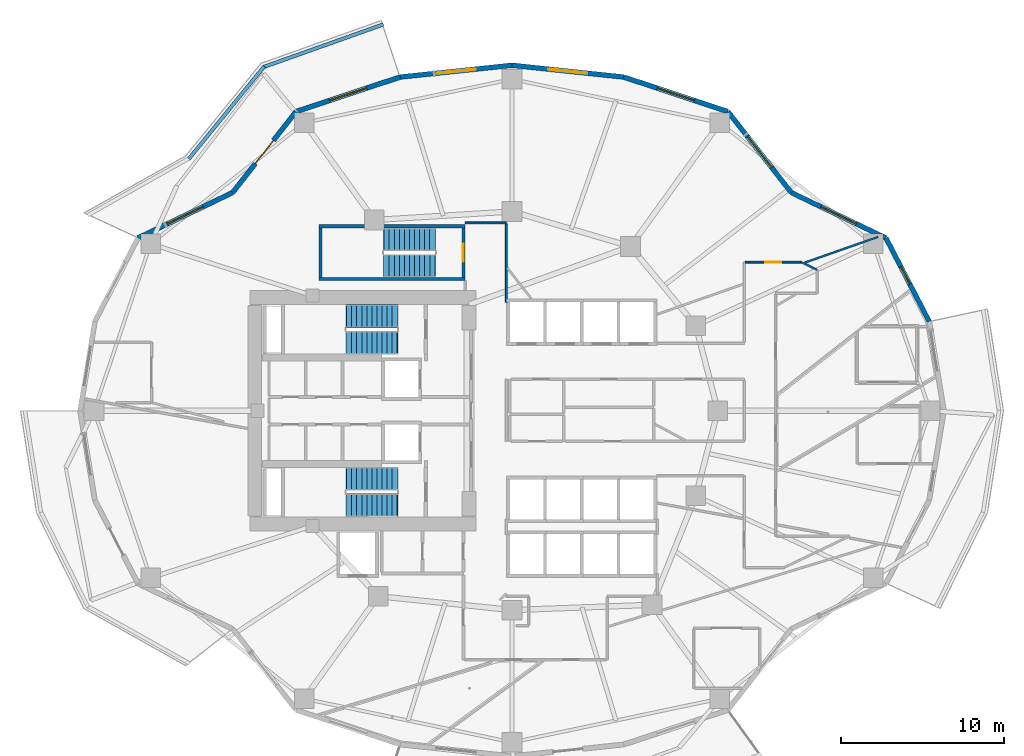
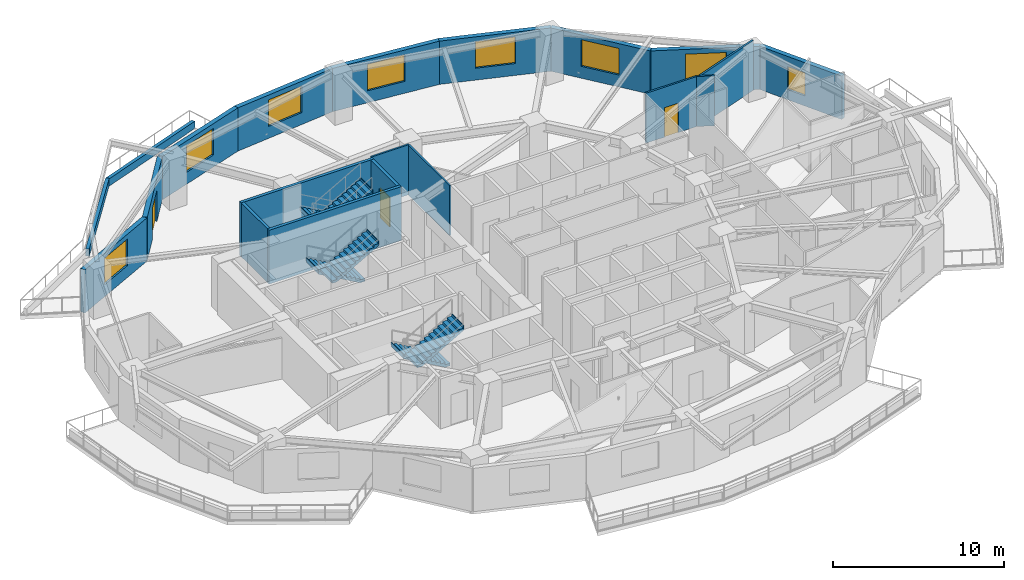
# One storey, part 7 of 16: 20 walls, 8 windows, 6 stair flights, 3 doors, 11 openings, 3 elements without a shape of their own.
"""IFC4 building model written with IfcOpenShell, lengths in metres."""

from ifc_helpers import new_model, si_unit, direction, frame, frame_2d, origin, place, context, subcontext, project, spatial, polyline, rectangle, outline, extrude, material, layer, layer_set, type_object, element, fill, aggregate, save


model = new_model("IFC4")

# Units and contexts
model_context = context("Model", 3, precision=1e-05, world=origin(), true_north=direction((0.0, 1.0)))
body_context = subcontext(model_context, "Body", "Model", "MODEL_VIEW")
ifc_project = project(units=[si_unit("LENGTHUNIT", "METRE"), si_unit("AREAUNIT", "SQUARE_METRE"), si_unit("VOLUMEUNIT", "CUBIC_METRE"), si_unit("PLANEANGLEUNIT", "RADIAN"), si_unit("MASSUNIT", "GRAM", prefix="KILO")], contexts=[model_context])

# Site, building, storey
site_placement = place(None, origin())
site = spatial("IfcSite", under=ifc_project, at=site_placement, CompositionType="ELEMENT")
building_placement = place(site_placement, origin())
building = spatial("IfcBuilding", under=site, at=building_placement, Name="Kolvaren Gate Tower and Convention Centre", CompositionType="ELEMENT")
storey_placement = place(building_placement, frame((0.0, 0.0, 65.0)))
storey = spatial("IfcBuildingStorey", under=building, at=storey_placement, Name="L15", CompositionType="ELEMENT", Elevation=65.0)

# Walls
ifc_material_1 = material(Name="Fire-Rated Acoustic Gypsum Stud Partition", Category="gypsum")
ifc_layer_1 = layer(ifc_material_1, 0.1201171875)
ifc_layer_set_1 = layer_set([ifc_layer_1], Name="Fire-Rated Acoustic Gypsum Stud Partition")
wall_type_1 = type_object("IfcWallType", Name="ARCH-WL-PART-120", PredefinedType="PARTITIONING", material=ifc_layer_set_1)
wall_1_placement = place(storey_placement, frame((27.25, 38.5, 0.0), z_axis=(0.0, 0.0, 1.0), x_axis=(1.0, 0.0, 0.0)))
element("IfcWall", 1, at=wall_1_placement, inside=storey, type_object=wall_type_1, Name="Interior Partition WL-L15-INT-027", PredefinedType="PARTITIONING", context=body_context, shape_type="SweptSolid", body=[
    extrude(rectangle(XDim=2.530029296875, YDim=0.1201171875, at=frame_2d((1.26513671875, 0.0))), origin(), (0.0, 0.0, 1.0), 3.570068359375),
])
wall_2_placement = place(storey_placement, frame((29.780029296875, 33.639892578125, 0.0), z_axis=(0.0, 0.0, 1.0), x_axis=(0.0, 1.0, 0.0)))
element("IfcWall", 2, at=wall_2_placement, inside=storey, type_object=wall_type_1, Name="Interior Partition WL-L15-INT-030", PredefinedType="PARTITIONING", context=body_context, shape_type="SweptSolid", body=[
    extrude(rectangle(XDim=4.798095703125, YDim=0.1201171875, at=frame_2d((2.39892578125, 0.0))), origin(), (0.0, 0.0, 1.0), 3.570068359375),
])

# Wall, opening, door
wall_3_placement = place(storey_placement, frame((44.412109375, 36.10009765625, 0.0), z_axis=(0.0, 0.0, 1.0), x_axis=(1.0, 0.0, 0.0)))
wall_3 = element("IfcWall", 3, at=wall_3_placement, inside=storey, type_object=wall_type_1, Name="Interior Partition WL-L15-INT-035", PredefinedType="PARTITIONING", context=body_context, shape_type="SweptSolid", body=[
    extrude(rectangle(XDim=3.411865234375, YDim=0.1201171875, at=frame_2d((1.7060546875, 0.0))), origin(), (0.0, 0.0, 1.0), 3.570068359375),
])
opening_1_placement = place(wall_3_placement, frame((1.23095703125, 0.0, 0.0)))
opening_1 = element("IfcOpeningElement", 4, at=opening_1_placement, cuts=wall_3, Name="Opening DR-01", PredefinedType="OPENING", context=body_context, shape_type="SweptSolid", body=[
    extrude(rectangle(XDim=0.949951171875, YDim=2.10009765625, at=frame_2d((0.47509765625, 1.050048828125))), frame((0.0, 0.070068359375, 0.0), z_axis=(0.0, -1.0, 0.0), x_axis=(1.0, 0.0, 0.0)), (0.0, 0.0, 1.0), 0.14013671875),
])
ifc_material_2 = material(Name="Painted Architectural Steelwork ASTM A500 Grade C 345 MPa", Category="steel")
door_type_1 = type_object("IfcDoorType", Name="ARCH-DR-RISER-950", OperationType="SINGLE_SWING_RIGHT", PredefinedType="DOOR", material=ifc_material_2)
door_1_placement = place(opening_1_placement, origin())
door_1 = element("IfcDoor", 5, at=door_1_placement, inside=storey, type_object=door_type_1, Name="Open-Plan Office Suite Door", OperationType="SINGLE_SWING_RIGHT", OverallHeight=2.10009765625, OverallWidth=0.949951171875, PredefinedType="DOOR", context=body_context, shape_type="SweptSolid", body=[
    extrude(rectangle(XDim=0.949951171875, YDim=2.10009765625, at=frame_2d((0.47509765625, 1.050048828125))), frame((0.0, 0.02490234375, 0.0), z_axis=(0.0, -1.0, 0.0), x_axis=(1.0, 0.0, 0.0)), (0.0, 0.0, 1.0), 0.050048828125),
])
fill(opening_1, door_1)

# Walls
wall_4_placement = place(storey_placement, frame((47.823974609375, 36.10009765625, 0.0), z_axis=(0.0, 0.0, 1.0), x_axis=(0.901350599951, -0.433090170712, 0.0)))
element("IfcWall", 6, at=wall_4_placement, inside=storey, type_object=wall_type_1, Name="Interior Partition WL-L15-INT-036", PredefinedType="PARTITIONING", context=body_context, shape_type="SweptSolid", body=[
    extrude(rectangle(XDim=1.0830078125, YDim=0.1201171875, at=frame_2d((0.54150390625, 0.0))), origin(), (0.0, 0.0, 1.0), 3.570068359375),
])
wall_5_placement = place(storey_placement, frame((48.037841796875, 36.06591796875, 0.0), z_axis=(0.0, 0.0, 1.0), x_axis=(0.943787214576, 0.330553616836, 0.0)))
element("IfcWall", 7, at=wall_5_placement, inside=storey, type_object=wall_type_1, Name="Interior Partition WL-L15-INT-072", PredefinedType="PARTITIONING", context=body_context, shape_type="SweptSolid", body=[
    extrude(rectangle(XDim=4.76318359375, YDim=0.1201171875, at=frame_2d((2.381591796875, 0.0))), origin(), (0.0, 0.0, 1.0), 3.570068359375),
])
ifc_material_3 = material(Name="Piedmont Cream Honed Limestone Cladding", Category="masonry")
ifc_layer_2 = layer(ifc_material_3, 0.219970703125)
ifc_layer_set_2 = layer_set([ifc_layer_2], Name="Piedmont Cream Honed Limestone Cladding")
wall_type_2 = type_object("IfcWallType", Name="ARCH-WL-PLANTER-220", PredefinedType="PARAPET", material=ifc_layer_set_2)
wall_6_placement = place(storey_placement, frame((14.89306640625, 48.035400390625, 0.0), z_axis=(0.0, 0.0, 1.0), x_axis=(0.942200211781, 0.335050385643, 0.0)))
element("IfcWall", 8, at=wall_6_placement, inside=storey, type_object=wall_type_2, Name="Vertical-Forest Balcony Stone Planter Kerb PK-L15-1.1", PredefinedType="PARAPET", context=body_context, shape_type="SweptSolid", body=[
    extrude(rectangle(XDim=7.806884765625, YDim=0.219970703125, at=frame_2d((3.9033203125, 0.0))), origin(), (0.0, 0.0, 1.0), 0.52001953125),
])
wall_7_placement = place(storey_placement, frame((10.335693359375, 42.411376953125, 0.0), z_axis=(0.0, 0.0, 1.0), x_axis=(0.631819273026, 0.775115737315, 0.0)))
element("IfcWall", 9, at=wall_7_placement, inside=storey, type_object=wall_type_2, Name="Vertical-Forest Balcony Stone Planter Kerb PK-L15-1.2", PredefinedType="PARAPET", context=body_context, shape_type="SweptSolid", body=[
    extrude(rectangle(XDim=7.31591796875, YDim=0.219970703125, at=frame_2d((3.657958984375, 0.0))), origin(), (0.0, 0.0, 1.0), 0.52001953125),
])

# Wall, opening, window
ifc_layer_3 = layer(ifc_material_3, 0.300048828125)
ifc_layer_set_3 = layer_set([ifc_layer_3], Name="Piedmont Cream Honed Limestone Cladding")
wall_type_3 = type_object("IfcWallType", Name="ARCH-WL-STONE-300", PredefinedType="SOLIDWALL", material=ifc_layer_set_3)
wall_8_placement = place(storey_placement, frame((53.0205078125, 37.574951171875, 0.0), z_axis=(0.0, 0.0, 1.0), x_axis=(0.459800981414, -0.888021991558, 0.0)))
wall_8 = element("IfcWall", 10, at=wall_8_placement, inside=storey, type_object=wall_type_3, Name="Tower L15 Honed Stone Spandrel Wall EW-01", PredefinedType="SOLIDWALL", context=body_context, shape_type="SweptSolid", body=[
    extrude(rectangle(XDim=5.744140625, YDim=0.300048828125, at=frame_2d((2.8720703125, 0.0))), origin(), (0.0, 0.0, 1.0), 3.093017578125),
])
opening_2_placement = place(wall_8_placement, frame((1.97998046875, 0.0, 0.719970703125)))
opening_2 = element("IfcOpeningElement", 11, at=opening_2_placement, cuts=wall_8, Name="Opening W-04", PredefinedType="OPENING", context=body_context, shape_type="SweptSolid", body=[
    extrude(rectangle(XDim=1.199951171875, YDim=1.64990234375, at=frame_2d((0.60009765625, 0.824951171875))), frame((0.0, 0.159912109375, 0.0), z_axis=(0.0, -1.0, 0.0), x_axis=(1.0, 0.0, 0.0)), (0.0, 0.0, 1.0), 0.320068359375),
])
ifc_material_4 = material(Name="Low-E Triple Insulated Glazing Unit 44 mm", Category="glass")
window_type_1 = type_object("IfcWindowType", Name="ARCH-WN-NARROW-1200", PartitioningType="SINGLE_PANEL", PredefinedType="WINDOW", material=ifc_material_4)
window_1_placement = place(opening_2_placement, origin())
window_1 = element("IfcWindow", 12, at=window_1_placement, inside=storey, type_object=window_type_1, Name="Tower L15 Punched Stone Facade Window W-01", OverallHeight=1.64990234375, OverallWidth=1.199951171875, PartitioningType="SINGLE_PANEL", PredefinedType="WINDOW", context=body_context, shape_type="SweptSolid", body=[
    extrude(rectangle(XDim=1.199951171875, YDim=1.64990234375, at=frame_2d((0.60009765625, 0.824951171875))), frame((0.0, 0.030029296875, 0.0), z_axis=(0.0, -1.0, 0.0), x_axis=(1.0, 0.0, 0.0)), (0.0, 0.0, 1.0), 0.06005859375),
])
fill(opening_2, window_1)

wall_9_placement = place(storey_placement, frame((47.223876953125, 40.360107421875, 0.0), z_axis=(0.0, 0.0, 1.0), x_axis=(0.901354747727, -0.433081538224, 0.0)))
wall_9 = element("IfcWall", 13, at=wall_9_placement, inside=storey, type_object=wall_type_3, Name="Tower L15 Honed Stone Spandrel Wall EW-02", PredefinedType="SOLIDWALL", context=body_context, shape_type="SweptSolid", body=[
    extrude(rectangle(XDim=6.430908203125, YDim=0.300048828125, at=frame_2d((3.21533203125, 0.0))), origin(), (0.0, 0.0, 1.0), 3.093017578125),
])
opening_3_placement = place(wall_9_placement, frame((2.014892578125, 0.0, 0.85009765625)))
opening_3 = element("IfcOpeningElement", 14, at=opening_3_placement, cuts=wall_9, Name="Opening W-01", PredefinedType="OPENING", context=body_context, shape_type="SweptSolid", body=[
    extrude(rectangle(XDim=2.39990234375, YDim=1.89990234375, at=frame_2d((1.199951171875, 0.949951171875))), frame((0.0, 0.159912109375, 0.0), z_axis=(0.0, -1.0, 0.0), x_axis=(1.0, 0.0, 0.0)), (0.0, 0.0, 1.0), 0.320068359375),
])
window_type_2 = type_object("IfcWindowType", Name="ARCH-WN-OFF-2400", PartitioningType="SINGLE_PANEL", PredefinedType="WINDOW", material=ifc_material_4)
window_2_placement = place(opening_3_placement, origin())
window_2 = element("IfcWindow", 15, at=window_2_placement, inside=storey, type_object=window_type_2, Name="Tower L15 Punched Stone Facade Window W-02", OverallHeight=1.89990234375, OverallWidth=2.39990234375, PartitioningType="SINGLE_PANEL", PredefinedType="WINDOW", context=body_context, shape_type="SweptSolid", body=[
    extrude(rectangle(XDim=2.39990234375, YDim=1.89990234375, at=frame_2d((1.199951171875, 0.949951171875))), frame((0.0, 0.030029296875, 0.0), z_axis=(0.0, -1.0, 0.0), x_axis=(1.0, 0.0, 0.0)), (0.0, 0.0, 1.0), 0.06005859375),
])
fill(opening_3, window_2)

wall_10_placement = place(storey_placement, frame((43.34375, 45.31640625, 0.0), z_axis=(0.0, 0.0, 1.0), x_axis=(0.616434798832, -0.78740595552, 0.0)))
wall_10 = element("IfcWall", 16, at=wall_10_placement, inside=storey, type_object=wall_type_3, Name="Tower L15 Honed Stone Spandrel Wall EW-03", PredefinedType="SOLIDWALL", context=body_context, shape_type="SweptSolid", body=[
    extrude(rectangle(XDim=6.29443359375, YDim=0.300048828125, at=frame_2d((3.147216796875, 0.0))), origin(), (0.0, 0.0, 1.0), 3.093017578125),
])
opening_4_placement = place(wall_10_placement, frame((1.947021484375, 0.0, 0.85009765625)))
opening_4 = element("IfcOpeningElement", 17, at=opening_4_placement, cuts=wall_10, Name="Opening W-01", PredefinedType="OPENING", context=body_context, shape_type="SweptSolid", body=[
    extrude(rectangle(XDim=2.39990234375, YDim=1.89990234375, at=frame_2d((1.199951171875, 0.949951171875))), frame((0.0, 0.159912109375, 0.0), z_axis=(0.0, -1.0, 0.0), x_axis=(1.0, 0.0, 0.0)), (0.0, 0.0, 1.0), 0.320068359375),
])
window_3_placement = place(opening_4_placement, origin())
window_3 = element("IfcWindow", 18, at=window_3_placement, inside=storey, type_object=window_type_2, Name="Tower L15 Punched Stone Facade Window W-03", OverallHeight=1.89990234375, OverallWidth=2.39990234375, PartitioningType="SINGLE_PANEL", PredefinedType="WINDOW", context=body_context, shape_type="SweptSolid", body=[
    extrude(rectangle(XDim=2.39990234375, YDim=1.89990234375, at=frame_2d((1.199951171875, 0.949951171875))), frame((0.0, 0.030029296875, 0.0), z_axis=(0.0, -1.0, 0.0), x_axis=(1.0, 0.0, 0.0)), (0.0, 0.0, 1.0), 0.06005859375),
])
fill(opening_4, window_3)

wall_11_placement = place(storey_placement, frame((36.967529296875, 47.42919921875, 0.0), z_axis=(0.0, 0.0, 1.0), x_axis=(0.949245153629, -0.314537181127, 0.0)))
wall_11 = element("IfcWall", 19, at=wall_11_placement, inside=storey, type_object=wall_type_3, Name="Tower L15 Honed Stone Spandrel Wall EW-04", PredefinedType="SOLIDWALL", context=body_context, shape_type="SweptSolid", body=[
    extrude(rectangle(XDim=6.717041015625, YDim=0.300048828125, at=frame_2d((3.3583984375, 0.0))), origin(), (0.0, 0.0, 1.0), 3.093017578125),
])
opening_5_placement = place(wall_11_placement, frame((2.158935546875, 0.0, 0.85009765625)))
opening_5 = element("IfcOpeningElement", 20, at=opening_5_placement, cuts=wall_11, Name="Opening W-01", PredefinedType="OPENING", context=body_context, shape_type="SweptSolid", body=[
    extrude(rectangle(XDim=2.39990234375, YDim=1.89990234375, at=frame_2d((1.199951171875, 0.949951171875))), frame((0.0, 0.159912109375, 0.0), z_axis=(0.0, -1.0, 0.0), x_axis=(1.0, 0.0, 0.0)), (0.0, 0.0, 1.0), 0.320068359375),
])
window_4_placement = place(opening_5_placement, origin())
window_4 = element("IfcWindow", 21, at=window_4_placement, inside=storey, type_object=window_type_2, Name="Tower L15 Punched Stone Facade Window W-04", OverallHeight=1.89990234375, OverallWidth=2.39990234375, PartitioningType="SINGLE_PANEL", PredefinedType="WINDOW", context=body_context, shape_type="SweptSolid", body=[
    extrude(rectangle(XDim=2.39990234375, YDim=1.89990234375, at=frame_2d((1.199951171875, 0.949951171875))), frame((0.0, 0.030029296875, 0.0), z_axis=(0.0, -1.0, 0.0), x_axis=(1.0, 0.0, 0.0)), (0.0, 0.0, 1.0), 0.06005859375),
])
fill(opening_5, window_4)

wall_12_placement = place(storey_placement, frame((30.125, 48.14990234375, 0.0), z_axis=(0.0, 0.0, 1.0), x_axis=(0.994498840295, -0.104747585419, 0.0)))
wall_12 = element("IfcWall", 22, at=wall_12_placement, inside=storey, type_object=wall_type_3, Name="Tower L15 Honed Stone Spandrel Wall EW-05", PredefinedType="SOLIDWALL", context=body_context, shape_type="SweptSolid", body=[
    extrude(rectangle(XDim=6.88037109375, YDim=0.300048828125, at=frame_2d((3.440185546875, 0.0))), origin(), (0.0, 0.0, 1.0), 3.093017578125),
])
opening_6_placement = place(wall_12_placement, frame((2.239990234375, 0.0, 0.85009765625)))
opening_6 = element("IfcOpeningElement", 23, at=opening_6_placement, cuts=wall_12, Name="Opening W-01", PredefinedType="OPENING", context=body_context, shape_type="SweptSolid", body=[
    extrude(rectangle(XDim=2.39990234375, YDim=1.89990234375, at=frame_2d((1.199951171875, 0.949951171875))), frame((0.0, 0.159912109375, 0.0), z_axis=(0.0, -1.0, 0.0), x_axis=(1.0, 0.0, 0.0)), (0.0, 0.0, 1.0), 0.320068359375),
])
window_5_placement = place(opening_6_placement, origin())
window_5 = element("IfcWindow", 24, at=window_5_placement, inside=storey, type_object=window_type_2, Name="Tower L15 Punched Stone Facade Window W-05", OverallHeight=1.89990234375, OverallWidth=2.39990234375, PartitioningType="SINGLE_PANEL", PredefinedType="WINDOW", context=body_context, shape_type="SweptSolid", body=[
    extrude(rectangle(XDim=2.39990234375, YDim=1.89990234375, at=frame_2d((1.199951171875, 0.949951171875))), frame((0.0, 0.030029296875, 0.0), z_axis=(0.0, -1.0, 0.0), x_axis=(1.0, 0.0, 0.0)), (0.0, 0.0, 1.0), 0.06005859375),
])
fill(opening_6, window_5)

wall_13_placement = place(storey_placement, frame((23.282470703125, 47.42919921875, 0.0), z_axis=(0.0, 0.0, 1.0), x_axis=(0.994498840295, 0.104747585419, 0.0)))
wall_13 = element("IfcWall", 25, at=wall_13_placement, inside=storey, type_object=wall_type_3, Name="Tower L15 Honed Stone Spandrel Wall EW-06", PredefinedType="SOLIDWALL", context=body_context, shape_type="SweptSolid", body=[
    extrude(rectangle(XDim=6.88037109375, YDim=0.300048828125, at=frame_2d((3.440185546875, 0.0))), origin(), (0.0, 0.0, 1.0), 3.093017578125),
])
opening_7_placement = place(wall_13_placement, frame((2.239990234375, 0.0, 0.85009765625)))
opening_7 = element("IfcOpeningElement", 26, at=opening_7_placement, cuts=wall_13, Name="Opening W-01", PredefinedType="OPENING", context=body_context, shape_type="SweptSolid", body=[
    extrude(rectangle(XDim=2.39990234375, YDim=1.89990234375, at=frame_2d((1.199951171875, 0.949951171875))), frame((0.0, 0.159912109375, 0.0), z_axis=(0.0, -1.0, 0.0), x_axis=(1.0, 0.0, 0.0)), (0.0, 0.0, 1.0), 0.320068359375),
])
window_6_placement = place(opening_7_placement, origin())
window_6 = element("IfcWindow", 27, at=window_6_placement, inside=storey, type_object=window_type_2, Name="Tower L15 Punched Stone Facade Window W-06", OverallHeight=1.89990234375, OverallWidth=2.39990234375, PartitioningType="SINGLE_PANEL", PredefinedType="WINDOW", context=body_context, shape_type="SweptSolid", body=[
    extrude(rectangle(XDim=2.39990234375, YDim=1.89990234375, at=frame_2d((1.199951171875, 0.949951171875))), frame((0.0, 0.030029296875, 0.0), z_axis=(0.0, -1.0, 0.0), x_axis=(1.0, 0.0, 0.0)), (0.0, 0.0, 1.0), 0.06005859375),
])
fill(opening_7, window_6)

wall_14_placement = place(storey_placement, frame((16.90625, 45.31640625, 0.0), z_axis=(0.0, 0.0, 1.0), x_axis=(0.949245153629, 0.314537181127, 0.0)))
wall_14 = element("IfcWall", 28, at=wall_14_placement, inside=storey, type_object=wall_type_3, Name="Tower L15 Honed Stone Spandrel Wall EW-07", PredefinedType="SOLIDWALL", context=body_context, shape_type="SweptSolid", body=[
    extrude(rectangle(XDim=6.717041015625, YDim=0.300048828125, at=frame_2d((3.3583984375, 0.0))), origin(), (0.0, 0.0, 1.0), 3.093017578125),
])
opening_8_placement = place(wall_14_placement, frame((2.158935546875, 0.0, 0.85009765625)))
opening_8 = element("IfcOpeningElement", 29, at=opening_8_placement, cuts=wall_14, Name="Opening W-01", PredefinedType="OPENING", context=body_context, shape_type="SweptSolid", body=[
    extrude(rectangle(XDim=2.39990234375, YDim=1.89990234375, at=frame_2d((1.199951171875, 0.949951171875))), frame((0.0, 0.159912109375, 0.0), z_axis=(0.0, -1.0, 0.0), x_axis=(1.0, 0.0, 0.0)), (0.0, 0.0, 1.0), 0.320068359375),
])
window_7_placement = place(opening_8_placement, origin())
window_7 = element("IfcWindow", 30, at=window_7_placement, inside=storey, type_object=window_type_2, Name="Tower L15 Punched Stone Facade Window W-07", OverallHeight=1.89990234375, OverallWidth=2.39990234375, PartitioningType="SINGLE_PANEL", PredefinedType="WINDOW", context=body_context, shape_type="SweptSolid", body=[
    extrude(rectangle(XDim=2.39990234375, YDim=1.89990234375, at=frame_2d((1.199951171875, 0.949951171875))), frame((0.0, 0.030029296875, 0.0), z_axis=(0.0, -1.0, 0.0), x_axis=(1.0, 0.0, 0.0)), (0.0, 0.0, 1.0), 0.06005859375),
])
fill(opening_8, window_7)

# Wall, opening, door
wall_15_placement = place(storey_placement, frame((13.026123046875, 40.360107421875, 0.0), z_axis=(0.0, 0.0, 1.0), x_axis=(0.616434798832, 0.78740595552, 0.0)))
wall_15 = element("IfcWall", 31, at=wall_15_placement, inside=storey, type_object=wall_type_3, Name="Tower L15 Honed Stone Spandrel Wall EW-08", PredefinedType="SOLIDWALL", context=body_context, shape_type="SweptSolid", body=[
    extrude(rectangle(XDim=6.29443359375, YDim=0.300048828125, at=frame_2d((3.147216796875, 0.0))), origin(), (0.0, 0.0, 1.0), 3.093017578125),
])
opening_9_placement = place(wall_15_placement, frame((2.2470703125, 0.0, 0.0)))
opening_9 = element("IfcOpeningElement", 32, at=opening_9_placement, cuts=wall_15, Name="Opening DB-01", PredefinedType="OPENING", context=body_context, shape_type="SweptSolid", body=[
    extrude(rectangle(XDim=1.800048828125, YDim=2.25, at=frame_2d((0.89990234375, 1.125))), frame((0.0, 0.159912109375, 0.0), z_axis=(0.0, -1.0, 0.0), x_axis=(1.0, 0.0, 0.0)), (0.0, 0.0, 1.0), 0.320068359375),
])
ifc_material_5 = material(Name="Anodized Architectural Aluminium Alloy 6063-T6", Category="aluminium")
door_type_2 = type_object("IfcDoorType", Name="ARCH-DR-BALC-1800", OperationType="SLIDING_TO_LEFT", PredefinedType="DOOR", material=ifc_material_5)
door_2_placement = place(opening_9_placement, origin())
door_2 = element("IfcDoor", 33, at=door_2_placement, inside=storey, type_object=door_type_2, Name="Planted Sky Terrace Access Door DB-L15-08", OperationType="SLIDING_TO_LEFT", OverallHeight=2.25, OverallWidth=1.800048828125, PredefinedType="DOOR", context=body_context, shape_type="SweptSolid", body=[
    extrude(rectangle(XDim=1.800048828125, YDim=2.25, at=frame_2d((0.89990234375, 1.125))), frame((0.0, 0.02490234375, 0.0), z_axis=(0.0, -1.0, 0.0), x_axis=(1.0, 0.0, 0.0)), (0.0, 0.0, 1.0), 0.050048828125),
])
fill(opening_9, door_2)

# Wall, opening, window
wall_16_placement = place(storey_placement, frame((7.2294921875, 37.574951171875, 0.0), z_axis=(0.0, 0.0, 1.0), x_axis=(0.901354747727, 0.433081538224, 0.0)))
wall_16 = element("IfcWall", 34, at=wall_16_placement, inside=storey, type_object=wall_type_3, Name="Tower L15 Honed Stone Spandrel Wall EW-09", PredefinedType="SOLIDWALL", context=body_context, shape_type="SweptSolid", body=[
    extrude(rectangle(XDim=6.430908203125, YDim=0.300048828125, at=frame_2d((3.21533203125, 0.0))), origin(), (0.0, 0.0, 1.0), 3.093017578125),
])
opening_10_placement = place(wall_16_placement, frame((2.014892578125, 0.0, 0.85009765625)))
opening_10 = element("IfcOpeningElement", 35, at=opening_10_placement, cuts=wall_16, Name="Opening W-01", PredefinedType="OPENING", context=body_context, shape_type="SweptSolid", body=[
    extrude(rectangle(XDim=2.39990234375, YDim=1.89990234375, at=frame_2d((1.199951171875, 0.949951171875))), frame((0.0, 0.159912109375, 0.0), z_axis=(0.0, -1.0, 0.0), x_axis=(1.0, 0.0, 0.0)), (0.0, 0.0, 1.0), 0.320068359375),
])
window_8_placement = place(opening_10_placement, origin())
window_8 = element("IfcWindow", 36, at=window_8_placement, inside=storey, type_object=window_type_2, Name="Tower L15 Punched Stone Facade Window W-09", OverallHeight=1.89990234375, OverallWidth=2.39990234375, PartitioningType="SINGLE_PANEL", PredefinedType="WINDOW", context=body_context, shape_type="SweptSolid", body=[
    extrude(rectangle(XDim=2.39990234375, YDim=1.89990234375, at=frame_2d((1.199951171875, 0.949951171875))), frame((0.0, 0.030029296875, 0.0), z_axis=(0.0, -1.0, 0.0), x_axis=(1.0, 0.0, 0.0)), (0.0, 0.0, 1.0), 0.06005859375),
])
fill(opening_10, window_8)

# Wall, opening, door
ifc_material_6 = material(Name="Concrete C50/60", Category="concrete")
ifc_layer_4 = layer(ifc_material_6, 0.199951171875)
ifc_layer_set_4 = layer_set([ifc_layer_4], Name="Concrete C50/60")
wall_type_4 = type_object("IfcWallType", Name="STR-WL-SHAFT-200", PredefinedType="SHEAR", material=ifc_layer_set_4)
wall_17_placement = place(storey_placement, frame((27.14990234375, 35.159912109375, -0.280029296875), z_axis=(0.0, 0.0, 1.0), x_axis=(0.0, 1.0, 0.0)))
wall_17 = element("IfcWall", 37, at=wall_17_placement, inside=storey, type_object=wall_type_4, Name="Tower Mid-Zone Exit Stair ST-T3 L15 Structural Shear Enclosure Wall NEAR", PredefinedType="SHEAR", context=body_context, shape_type="SweptSolid", body=[
    extrude(rectangle(XDim=3.0400390625, YDim=0.199951171875, at=frame_2d((1.52001953125, 0.0))), origin(), (0.0, 0.0, 1.0), 3.85009765625),
])
opening_11_placement = place(wall_17_placement, frame((0.969970703125, 0.0, 0.280029296875)))
opening_11 = element("IfcOpeningElement", 38, at=opening_11_placement, cuts=wall_17, Name="Opening DS-01", PredefinedType="OPENING", context=body_context, shape_type="SweptSolid", body=[
    extrude(rectangle(XDim=1.10009765625, YDim=2.14990234375, at=frame_2d((0.550048828125, 1.074951171875))), frame((0.0, 0.10986328125, 0.0), z_axis=(0.0, -1.0, 0.0), x_axis=(1.0, 0.0, 0.0)), (0.0, 0.0, 1.0), 0.219970703125),
])
door_type_3 = type_object("IfcDoorType", Name="ARCH-DR-STAIR-1100", OperationType="SINGLE_SWING_LEFT", PredefinedType="DOOR", material=ifc_material_2)
door_3_placement = place(opening_11_placement, origin())
door_3 = element("IfcDoor", 39, at=door_3_placement, inside=storey, type_object=door_type_3, Name="Tower Mid-Zone Exit Stair ST-T3 L15 Fire Exit Stair Door", OperationType="SINGLE_SWING_LEFT", OverallHeight=2.14990234375, OverallWidth=1.10009765625, PredefinedType="DOOR", context=body_context, shape_type="SweptSolid", body=[
    extrude(rectangle(XDim=1.10009765625, YDim=2.14990234375, at=frame_2d((0.550048828125, 1.074951171875))), frame((0.0, 0.02490234375, 0.0), z_axis=(0.0, -1.0, 0.0), x_axis=(1.0, 0.0, 0.0)), (0.0, 0.0, 1.0), 0.050048828125),
])
fill(opening_11, door_3)

# Walls
wall_18_placement = place(storey_placement, frame((18.39990234375, 35.159912109375, -0.280029296875), z_axis=(0.0, 0.0, 1.0), x_axis=(0.0, 1.0, 0.0)))
element("IfcWall", 40, at=wall_18_placement, inside=storey, type_object=wall_type_4, Name="Tower Mid-Zone Exit Stair ST-T3 L15 Structural Shear Enclosure Wall FAR", PredefinedType="SHEAR", context=body_context, shape_type="SweptSolid", body=[
    extrude(rectangle(XDim=3.0400390625, YDim=0.199951171875, at=frame_2d((1.52001953125, 0.0))), origin(), (0.0, 0.0, 1.0), 3.85009765625),
])
for number, where, z_axis, x_axis, name in (
    (41, (18.300048828125, 38.300048828125, -0.280029296875), (0.0, 0.0, 1.0), (1.0, 0.0, 0.0), "Tower Mid-Zone Exit Stair ST-T3 L15 Structural Shear Enclosure Wall LEFT"),
    (42, (18.300048828125, 35.06005859375, -0.280029296875), (0.0, 0.0, 1.0), (1.0, 0.0, 0.0), "Tower Mid-Zone Exit Stair ST-T3 L15 Structural Shear Enclosure Wall RGHT"),
):
    element("IfcWall", number, at=place(storey_placement, frame(where, z_axis=z_axis, x_axis=x_axis)), inside=storey, type_object=wall_type_4, Name=name, PredefinedType="SHEAR", context=body_context, shape_type="SweptSolid", body=[
        extrude(rectangle(XDim=8.949951171875, YDim=0.199951171875, at=frame_2d((4.47509765625, 0.0))), origin(), (0.0, 0.0, 1.0), 3.85009765625),
    ])

# Stair, stair flights
stair_type = type_object("IfcStairType", Name="STR-STAIR-CORE", PredefinedType="HALF_TURN_STAIR", material=ifc_material_6)
stair_1_placement = place(storey_placement, origin())
stair_1 = element("IfcStair", 43, at=stair_1_placement, inside=storey, type_object=stair_type, Name="L15 Tower North Exit Stair ST-T1", PredefinedType="HALF_TURN_STAIR")
stair_flight_type = type_object("IfcStairFlightType", Name="STR-SFL-1420", PredefinedType="STRAIGHT", material=ifc_material_6)
stair_flight_1_placement = place(storey_placement, frame((23.10009765625, 32.7900390625, 0.0), z_axis=(0.0, 0.0, 1.0), x_axis=(-1.0, 0.0, 0.0)))
stair_flight_1 = element("IfcStairFlight", 44, at=stair_flight_1_placement, type_object=stair_flight_type, Name="ST-T1 flight 1", NumberOfRisers=11, NumberOfTreads=10, PredefinedType="STRAIGHT", RiserHeight=0.175, TreadLength=0.31, context=body_context, shape_type="SweptSolid", body=[
    extrude(outline(polyline([(-0.034912109375, 0.0), (-0.034912109375, 0.175048828125), (0.31005859375, 0.175048828125), (0.31005859375, 0.35009765625), (0.6201171875, 0.35009765625), (0.6201171875, 0.52490234375), (0.929931640625, 0.52490234375), (0.929931640625, 0.699951171875), (1.239990234375, 0.699951171875), (1.239990234375, 0.875), (1.550048828125, 0.875), (1.550048828125, 1.050048828125), (1.860107421875, 1.050048828125), (1.860107421875, 1.22509765625), (2.169921875, 1.22509765625), (2.169921875, 1.39990234375), (2.47998046875, 1.39990234375), (2.47998046875, 1.574951171875), (2.7900390625, 1.574951171875), (2.7900390625, 1.75), (3.10009765625, 1.75), (3.10009765625, 1.925048828125), (3.14501953125, 1.925048828125), (3.14501953125, 1.764892578125), (3.10009765625, 1.577880859375), (0.304931640625, 0.0), (-0.034912109375, 0.0)])), frame((0.0, 0.7099609375, 0.0), z_axis=(0.0, -1.0, 0.0), x_axis=(1.0, 0.0, 0.0)), (0.0, 0.0, 1.0), 1.419921875),
])
stair_flight_2_placement = place(storey_placement, frame((20.0, 31.169921875, 1.925048828125), z_axis=(0.0, 0.0, 1.0), x_axis=(1.0, 0.0, 0.0)))
stair_flight_2 = element("IfcStairFlight", 45, at=stair_flight_2_placement, type_object=stair_flight_type, Name="ST-T1 flight 2", NumberOfRisers=11, NumberOfTreads=10, PredefinedType="STRAIGHT", RiserHeight=0.175, TreadLength=0.31, context=body_context, shape_type="SweptSolid", body=[
    extrude(outline(polyline([(-0.034912109375, 0.0), (-0.034912109375, 0.175048828125), (0.31005859375, 0.175048828125), (0.31005859375, 0.35009765625), (0.6201171875, 0.35009765625), (0.6201171875, 0.52490234375), (0.929931640625, 0.52490234375), (0.929931640625, 0.699951171875), (1.239990234375, 0.699951171875), (1.239990234375, 0.875), (1.550048828125, 0.875), (1.550048828125, 1.050048828125), (1.860107421875, 1.050048828125), (1.860107421875, 1.22509765625), (2.169921875, 1.22509765625), (2.169921875, 1.39990234375), (2.47998046875, 1.39990234375), (2.47998046875, 1.574951171875), (2.7900390625, 1.574951171875), (2.7900390625, 1.75), (3.10009765625, 1.75), (3.10009765625, 1.925048828125), (3.14501953125, 1.925048828125), (3.14501953125, 1.764892578125), (3.10009765625, 1.577880859375), (0.304931640625, 0.0), (-0.034912109375, 0.0)])), frame((0.0, 0.7099609375, 0.0), z_axis=(0.0, -1.0, 0.0), x_axis=(1.0, 0.0, 0.0)), (0.0, 0.0, 1.0), 1.419921875),
])
aggregate(stair_1, [stair_flight_1, stair_flight_2])

stair_2_placement = place(storey_placement, origin())
stair_2 = element("IfcStair", 46, at=stair_2_placement, inside=storey, type_object=stair_type, Name="L15 Tower South Exit Stair ST-T2", PredefinedType="HALF_TURN_STAIR")
stair_flight_3_placement = place(storey_placement, frame((23.10009765625, 22.830078125, 0.0), z_axis=(0.0, 0.0, 1.0), x_axis=(-1.0, 0.0, 0.0)))
stair_flight_3 = element("IfcStairFlight", 47, at=stair_flight_3_placement, type_object=stair_flight_type, Name="ST-T2 flight 1", NumberOfRisers=11, NumberOfTreads=10, PredefinedType="STRAIGHT", RiserHeight=0.175, TreadLength=0.31, context=body_context, shape_type="SweptSolid", body=[
    extrude(outline(polyline([(-0.034912109375, 0.0), (-0.034912109375, 0.175048828125), (0.31005859375, 0.175048828125), (0.31005859375, 0.35009765625), (0.6201171875, 0.35009765625), (0.6201171875, 0.52490234375), (0.929931640625, 0.52490234375), (0.929931640625, 0.699951171875), (1.239990234375, 0.699951171875), (1.239990234375, 0.875), (1.550048828125, 0.875), (1.550048828125, 1.050048828125), (1.860107421875, 1.050048828125), (1.860107421875, 1.22509765625), (2.169921875, 1.22509765625), (2.169921875, 1.39990234375), (2.47998046875, 1.39990234375), (2.47998046875, 1.574951171875), (2.7900390625, 1.574951171875), (2.7900390625, 1.75), (3.10009765625, 1.75), (3.10009765625, 1.925048828125), (3.14501953125, 1.925048828125), (3.14501953125, 1.764892578125), (3.10009765625, 1.577880859375), (0.304931640625, 0.0), (-0.034912109375, 0.0)])), frame((0.0, 0.7099609375, 0.0), z_axis=(0.0, -1.0, 0.0), x_axis=(1.0, 0.0, 0.0)), (0.0, 0.0, 1.0), 1.419921875),
])
stair_flight_4_placement = place(storey_placement, frame((20.0, 21.2099609375, 1.925048828125), z_axis=(0.0, 0.0, 1.0), x_axis=(1.0, 0.0, 0.0)))
stair_flight_4 = element("IfcStairFlight", 48, at=stair_flight_4_placement, type_object=stair_flight_type, Name="ST-T2 flight 2", NumberOfRisers=11, NumberOfTreads=10, PredefinedType="STRAIGHT", RiserHeight=0.175, TreadLength=0.31, context=body_context, shape_type="SweptSolid", body=[
    extrude(outline(polyline([(-0.034912109375, 0.0), (-0.034912109375, 0.175048828125), (0.31005859375, 0.175048828125), (0.31005859375, 0.35009765625), (0.6201171875, 0.35009765625), (0.6201171875, 0.52490234375), (0.929931640625, 0.52490234375), (0.929931640625, 0.699951171875), (1.239990234375, 0.699951171875), (1.239990234375, 0.875), (1.550048828125, 0.875), (1.550048828125, 1.050048828125), (1.860107421875, 1.050048828125), (1.860107421875, 1.22509765625), (2.169921875, 1.22509765625), (2.169921875, 1.39990234375), (2.47998046875, 1.39990234375), (2.47998046875, 1.574951171875), (2.7900390625, 1.574951171875), (2.7900390625, 1.75), (3.10009765625, 1.75), (3.10009765625, 1.925048828125), (3.14501953125, 1.925048828125), (3.14501953125, 1.764892578125), (3.10009765625, 1.577880859375), (0.304931640625, 0.0), (-0.034912109375, 0.0)])), frame((0.0, 0.7099609375, 0.0), z_axis=(0.0, -1.0, 0.0), x_axis=(1.0, 0.0, 0.0)), (0.0, 0.0, 1.0), 1.419921875),
])
aggregate(stair_2, [stair_flight_3, stair_flight_4])

stair_3_placement = place(storey_placement, origin())
stair_3 = element("IfcStair", 49, at=stair_3_placement, inside=storey, type_object=stair_type, Name="L15 Tower Mid-Zone Exit Stair ST-T3", PredefinedType="HALF_TURN_STAIR")
stair_flight_5_placement = place(storey_placement, frame((25.39990234375, 37.489990234375, 0.0), z_axis=(0.0, 0.0, 1.0), x_axis=(-1.0, 0.0, 0.0)))
stair_flight_5 = element("IfcStairFlight", 50, at=stair_flight_5_placement, type_object=stair_flight_type, Name="ST-T3 flight 1", NumberOfRisers=11, NumberOfTreads=10, PredefinedType="STRAIGHT", RiserHeight=0.175, TreadLength=0.31, context=body_context, shape_type="SweptSolid", body=[
    extrude(outline(polyline([(-0.034912109375, 0.0), (-0.034912109375, 0.175048828125), (0.31005859375, 0.175048828125), (0.31005859375, 0.35009765625), (0.6201171875, 0.35009765625), (0.6201171875, 0.52490234375), (0.929931640625, 0.52490234375), (0.929931640625, 0.699951171875), (1.239990234375, 0.699951171875), (1.239990234375, 0.875), (1.550048828125, 0.875), (1.550048828125, 1.050048828125), (1.860107421875, 1.050048828125), (1.860107421875, 1.22509765625), (2.169921875, 1.22509765625), (2.169921875, 1.39990234375), (2.47998046875, 1.39990234375), (2.47998046875, 1.574951171875), (2.7900390625, 1.574951171875), (2.7900390625, 1.75), (3.10009765625, 1.75), (3.10009765625, 1.925048828125), (3.14501953125, 1.925048828125), (3.14501953125, 1.764892578125), (3.10009765625, 1.577880859375), (0.304931640625, 0.0), (-0.034912109375, 0.0)])), frame((0.0, 0.7099609375, 0.0), z_axis=(0.0, -1.0, 0.0), x_axis=(1.0, 0.0, 0.0)), (0.0, 0.0, 1.0), 1.419921875),
])
stair_flight_6_placement = place(storey_placement, frame((22.300048828125, 35.8701171875, 1.925048828125), z_axis=(0.0, 0.0, 1.0), x_axis=(1.0, 0.0, 0.0)))
stair_flight_6 = element("IfcStairFlight", 51, at=stair_flight_6_placement, type_object=stair_flight_type, Name="ST-T3 flight 2", NumberOfRisers=11, NumberOfTreads=10, PredefinedType="STRAIGHT", RiserHeight=0.175, TreadLength=0.31, context=body_context, shape_type="SweptSolid", body=[
    extrude(outline(polyline([(-0.034912109375, 0.0), (-0.034912109375, 0.175048828125), (0.31005859375, 0.175048828125), (0.31005859375, 0.35009765625), (0.6201171875, 0.35009765625), (0.6201171875, 0.52490234375), (0.929931640625, 0.52490234375), (0.929931640625, 0.699951171875), (1.239990234375, 0.699951171875), (1.239990234375, 0.875), (1.550048828125, 0.875), (1.550048828125, 1.050048828125), (1.860107421875, 1.050048828125), (1.860107421875, 1.22509765625), (2.169921875, 1.22509765625), (2.169921875, 1.39990234375), (2.47998046875, 1.39990234375), (2.47998046875, 1.574951171875), (2.7900390625, 1.574951171875), (2.7900390625, 1.75), (3.10009765625, 1.75), (3.10009765625, 1.925048828125), (3.14501953125, 1.925048828125), (3.14501953125, 1.764892578125), (3.10009765625, 1.577880859375), (0.304931640625, 0.0), (-0.034912109375, 0.0)])), frame((0.0, 0.7099609375, 0.0), z_axis=(0.0, -1.0, 0.0), x_axis=(1.0, 0.0, 0.0)), (0.0, 0.0, 1.0), 1.419921875),
])
aggregate(stair_3, [stair_flight_5, stair_flight_6])

save(model, "model.ifc")
